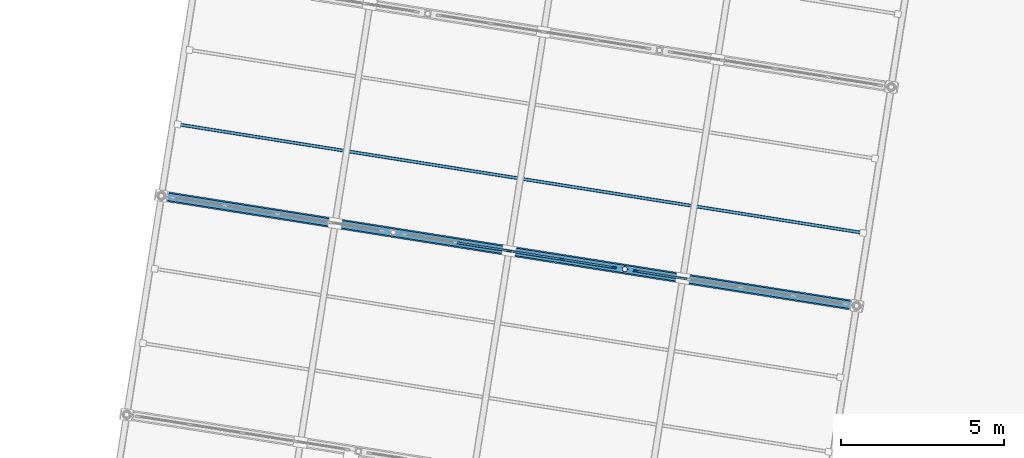
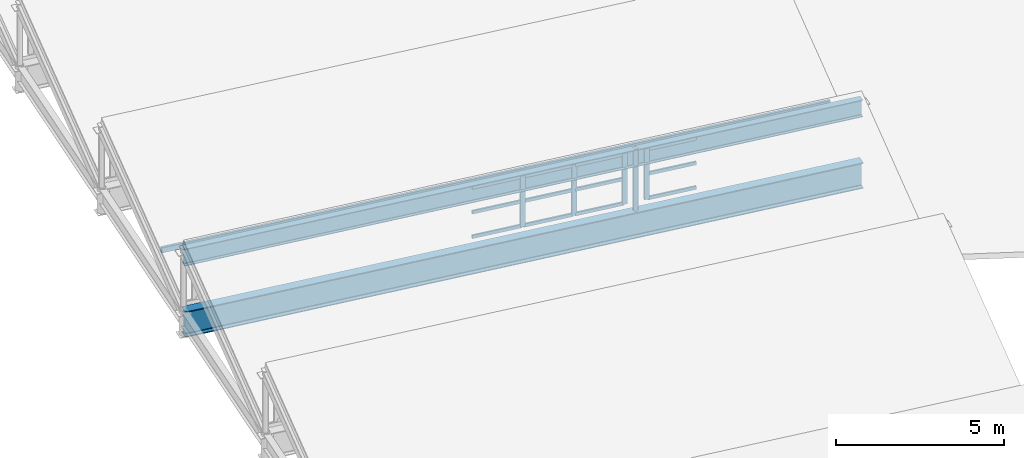
# One storey, part 38 of 65: 18 members, 2 beams, 2 elements without a shape of their own.
"""IFC4 building model written with IfcOpenShell, lengths in metres."""

from ifc_helpers import new_model, si_unit, direction, frame, origin, origin_2d, place, context, subcontext, project, spatial, rectangle, hollow_rectangle, hollow_circle, i_section, extrude, material, material_profile, profile_set, type_object, element, aggregate, save


model = new_model("IFC4")

# Units and contexts
model_context = context("Model", 3, precision=1e-05, world=origin(), true_north=direction((0.0, 1.0)))
body_context = subcontext(model_context, "Body", "Model", "MODEL_VIEW")
ifc_project = project(units=[si_unit("LENGTHUNIT", "METRE"), si_unit("AREAUNIT", "SQUARE_METRE"), si_unit("VOLUMEUNIT", "CUBIC_METRE"), si_unit("PLANEANGLEUNIT", "RADIAN"), si_unit("MASSUNIT", "GRAM", prefix="KILO")], contexts=[model_context])

# Site, building, storey
site_placement = place(None, origin())
site = spatial("IfcSite", under=ifc_project, at=site_placement, CompositionType="ELEMENT")
building_placement = place(site_placement, origin())
building = spatial("IfcBuilding", under=site, at=building_placement, Name="Cinderway Yard Community Centre", CompositionType="ELEMENT")
storey_placement = place(building_placement, frame((0.0, 0.0, 24.300048828125)))
storey = spatial("IfcBuildingStorey", under=building, at=storey_placement, Name="RF", CompositionType="ELEMENT", Elevation=24.300048828125)

# Curtain wall, members
ifc_material_1 = material(Name="Aluminium 6063-T6", Category="aluminium")
curtain_wall_type = type_object("IfcCurtainWallType", Name="ENV-CW-TYPE-23", PredefinedType="USERDEFINED", material=ifc_material_1)
curtain_wall_1_placement = place(storey_placement, origin())
curtain_wall_1 = element("IfcCurtainWall", 1, at=curtain_wall_1_placement, inside=storey, type_object=curtain_wall_type, Name="Sawtooth North-Light Clerestory ENV-CW-RF-ST-0076", ObjectType="GLAZED CURTAIN WALL", PredefinedType="USERDEFINED")
ifc_material_profile_1 = material_profile(ifc_material_1, rectangle(XDim=0.06005859375, YDim=0.159912109375, at=origin_2d()), Name="Aluminium 6063-T6")
ifc_profile_set_1 = profile_set([ifc_material_profile_1], Name="Aluminium 6063-T6")
member_type_1 = type_object("IfcMemberType", Name="ENV-CW-MULL-150", PredefinedType="MULLION", material=ifc_profile_set_1)
member_1_placement = place(storey_placement, frame((130.79443359375, 49.742919921875, -10.199951171875), z_axis=(0.0, 0.0, 1.0), x_axis=(0.15640876877, 0.987692410142, 0.0)))
member_1 = element("IfcMember", 2, at=member_1_placement, type_object=member_type_1, Name="CW-23 mullion 3", PredefinedType="MULLION", context=body_context, shape_type="SweptSolid", body=[
    extrude(rectangle(XDim=0.06005859375, YDim=0.159912109375, at=origin_2d()), origin(), (0.0, 0.0, 1.0), 1.849853515625),
])
member_2_placement = place(storey_placement, frame((132.414306640625, 49.486572265625, -10.199951171875), z_axis=(0.0, 0.0, 1.0), x_axis=(0.15640876877, 0.987692410142, 0.0)))
member_2 = element("IfcMember", 3, at=member_2_placement, type_object=member_type_1, Name="CW-23 mullion 4", PredefinedType="MULLION", context=body_context, shape_type="SweptSolid", body=[
    extrude(rectangle(XDim=0.06005859375, YDim=0.159912109375, at=origin_2d()), origin(), (0.0, 0.0, 1.0), 1.849853515625),
])
member_3_placement = place(storey_placement, frame((134.00439453125, 49.234619140625, -10.199951171875), z_axis=(0.0, 0.0, 1.0), x_axis=(0.15640876877, 0.987692410142, 0.0)))
member_3 = element("IfcMember", 4, at=member_3_placement, type_object=member_type_1, Name="CW-23 mullion 5", PredefinedType="MULLION", context=body_context, shape_type="SweptSolid", body=[
    extrude(rectangle(XDim=0.06005859375, YDim=0.159912109375, at=origin_2d()), origin(), (0.0, 0.0, 1.0), 1.849853515625),
])

# Curtain wall, member
curtain_wall_2_placement = place(storey_placement, origin())
curtain_wall_2 = element("IfcCurtainWall", 5, at=curtain_wall_2_placement, inside=storey, type_object=curtain_wall_type, Name="Sawtooth North-Light Clerestory ENV-CW-RF-ST-0077", ObjectType="GLAZED CURTAIN WALL", PredefinedType="USERDEFINED")
member_4_placement = place(storey_placement, frame((134.695556640625, 49.125244140625, -10.199951171875), z_axis=(0.0, 0.0, 1.0), x_axis=(0.156385221956, 0.987696138675, 0.0)))
member_4 = element("IfcMember", 6, at=member_4_placement, type_object=member_type_1, Name="CW-23 mullion 1", PredefinedType="MULLION", context=body_context, shape_type="SweptSolid", body=[
    extrude(rectangle(XDim=0.06005859375, YDim=0.159912109375, at=origin_2d()), origin(), (0.0, 0.0, 1.0), 1.849853515625),
])

# Member
ifc_material_profile_2 = material_profile(ifc_material_1, rectangle(XDim=0.06005859375, YDim=0.1201171875, at=origin_2d()), Name="Aluminium 6063-T6")
ifc_profile_set_2 = profile_set([ifc_material_profile_2], Name="Aluminium 6063-T6")
member_type_2 = type_object("IfcMemberType", Name="ENV-CW-TRAN-110", PredefinedType="USERDEFINED", material=ifc_profile_set_2)
member_5_placement = place(storey_placement, frame((129.204345703125, 49.994873046875, -10.170166015625), z_axis=(0.987697729788, -0.156375172488, 0.0), x_axis=(0.156375172488, 0.987697729788, 0.0)))
member_5 = element("IfcMember", 7, at=member_5_placement, type_object=member_type_2, Name="CW-23 transom 2.1", ObjectType="TRANSOM", PredefinedType="USERDEFINED", context=body_context, shape_type="SweptSolid", body=[
    extrude(rectangle(XDim=0.06005859375, YDim=0.1201171875, at=origin_2d()), origin(), (0.0, 0.0, 1.0), 1.580078125),
])

member_6_placement = place(storey_placement, frame((129.204345703125, 49.994873046875, -9.280029296875), z_axis=(0.987697729788, -0.156375172488, 0.0), x_axis=(0.156375172488, 0.987697729788, 0.0)))
member_6 = element("IfcMember", 8, at=member_6_placement, type_object=member_type_2, Name="CW-23 transom 2.2", ObjectType="TRANSOM", PredefinedType="USERDEFINED", context=body_context, shape_type="SweptSolid", body=[
    extrude(rectangle(XDim=0.06005859375, YDim=0.1201171875, at=origin_2d()), origin(), (0.0, 0.0, 1.0), 1.580078125),
])

member_7_placement = place(storey_placement, frame((129.204345703125, 49.994873046875, -8.380126953125), z_axis=(0.987697729788, -0.156375172488, 0.0), x_axis=(0.156375172488, 0.987697729788, 0.0)))
member_7 = element("IfcMember", 9, at=member_7_placement, type_object=member_type_2, Name="CW-23 transom 2.3", ObjectType="TRANSOM", PredefinedType="USERDEFINED", context=body_context, shape_type="SweptSolid", body=[
    extrude(rectangle(XDim=0.06005859375, YDim=0.1201171875, at=origin_2d()), origin(), (0.0, 0.0, 1.0), 1.580078125),
])

member_8_placement = place(storey_placement, frame((130.82421875, 49.73828125, -10.170166015625), z_axis=(0.987693950393, -0.156399042059, 0.0), x_axis=(0.156399042059, 0.987693950393, 0.0)))
member_8 = element("IfcMember", 10, at=member_8_placement, type_object=member_type_2, Name="CW-23 transom 3.1", ObjectType="TRANSOM", PredefinedType="USERDEFINED", context=body_context, shape_type="SweptSolid", body=[
    extrude(rectangle(XDim=0.06005859375, YDim=0.1201171875, at=origin_2d()), origin(), (0.0, 0.0, 1.0), 1.579833984375),
])

member_9_placement = place(storey_placement, frame((130.82421875, 49.73828125, -9.280029296875), z_axis=(0.987693950393, -0.156399042059, 0.0), x_axis=(0.156399042059, 0.987693950393, 0.0)))
member_9 = element("IfcMember", 11, at=member_9_placement, type_object=member_type_2, Name="CW-23 transom 3.2", ObjectType="TRANSOM", PredefinedType="USERDEFINED", context=body_context, shape_type="SweptSolid", body=[
    extrude(rectangle(XDim=0.06005859375, YDim=0.1201171875, at=origin_2d()), origin(), (0.0, 0.0, 1.0), 1.579833984375),
])

member_10_placement = place(storey_placement, frame((130.82421875, 49.73828125, -8.380126953125), z_axis=(0.987693950393, -0.156399042059, 0.0), x_axis=(0.156399042059, 0.987693950393, 0.0)))
member_10 = element("IfcMember", 12, at=member_10_placement, type_object=member_type_2, Name="CW-23 transom 3.3", ObjectType="TRANSOM", PredefinedType="USERDEFINED", context=body_context, shape_type="SweptSolid", body=[
    extrude(rectangle(XDim=0.06005859375, YDim=0.1201171875, at=origin_2d()), origin(), (0.0, 0.0, 1.0), 1.579833984375),
])

member_11_placement = place(storey_placement, frame((132.44384765625, 49.481689453125, -10.170166015625), z_axis=(0.987718227202, -0.156245651632, 0.0), x_axis=(0.156245651632, 0.987718227202, 0.0)))
member_11 = element("IfcMember", 13, at=member_11_placement, type_object=member_type_2, Name="CW-23 transom 4.1", ObjectType="TRANSOM", PredefinedType="USERDEFINED", context=body_context, shape_type="SweptSolid", body=[
    extrude(rectangle(XDim=0.06005859375, YDim=0.1201171875, at=origin_2d()), origin(), (0.0, 0.0, 1.0), 1.550048828125),
])

member_12_placement = place(storey_placement, frame((132.44384765625, 49.481689453125, -9.280029296875), z_axis=(0.987718227202, -0.156245651632, 0.0), x_axis=(0.156245651632, 0.987718227202, 0.0)))
member_12 = element("IfcMember", 14, at=member_12_placement, type_object=member_type_2, Name="CW-23 transom 4.2", ObjectType="TRANSOM", PredefinedType="USERDEFINED", context=body_context, shape_type="SweptSolid", body=[
    extrude(rectangle(XDim=0.06005859375, YDim=0.1201171875, at=origin_2d()), origin(), (0.0, 0.0, 1.0), 1.550048828125),
])

member_13_placement = place(storey_placement, frame((132.44384765625, 49.481689453125, -8.380126953125), z_axis=(0.987718227202, -0.156245651632, 0.0), x_axis=(0.156245651632, 0.987718227202, 0.0)))
member_13 = element("IfcMember", 15, at=member_13_placement, type_object=member_type_2, Name="CW-23 transom 4.3", ObjectType="TRANSOM", PredefinedType="USERDEFINED", context=body_context, shape_type="SweptSolid", body=[
    extrude(rectangle(XDim=0.06005859375, YDim=0.1201171875, at=origin_2d()), origin(), (0.0, 0.0, 1.0), 1.550048828125),
])

aggregate(curtain_wall_1, [member_1, member_2, member_3, member_5, member_6, member_7, member_8, member_9, member_10, member_11, member_12, member_13])

member_14_placement = place(storey_placement, frame((134.725341796875, 49.12060546875, -10.170166015625), z_axis=(0.987693908517, -0.156399306515, 0.0), x_axis=(0.156399306515, 0.987693908517, 0.0)))
member_14 = element("IfcMember", 16, at=member_14_placement, type_object=member_type_2, Name="CW-23 transom 1.1", ObjectType="TRANSOM", PredefinedType="USERDEFINED", context=body_context, shape_type="SweptSolid", body=[
    extrude(rectangle(XDim=0.06005859375, YDim=0.1201171875, at=origin_2d()), origin(), (0.0, 0.0, 1.0), 1.550048828125),
])

member_15_placement = place(storey_placement, frame((134.725341796875, 49.12060546875, -9.280029296875), z_axis=(0.987693908517, -0.156399306515, 0.0), x_axis=(0.156399306515, 0.987693908517, 0.0)))
member_15 = element("IfcMember", 17, at=member_15_placement, type_object=member_type_2, Name="CW-23 transom 1.2", ObjectType="TRANSOM", PredefinedType="USERDEFINED", context=body_context, shape_type="SweptSolid", body=[
    extrude(rectangle(XDim=0.06005859375, YDim=0.1201171875, at=origin_2d()), origin(), (0.0, 0.0, 1.0), 1.550048828125),
])

member_16_placement = place(storey_placement, frame((134.725341796875, 49.12060546875, -8.380126953125), z_axis=(0.987693908517, -0.156399306515, 0.0), x_axis=(0.156399306515, 0.987693908517, 0.0)))
member_16 = element("IfcMember", 18, at=member_16_placement, type_object=member_type_2, Name="CW-23 transom 1.3", ObjectType="TRANSOM", PredefinedType="USERDEFINED", context=body_context, shape_type="SweptSolid", body=[
    extrude(rectangle(XDim=0.06005859375, YDim=0.1201171875, at=origin_2d()), origin(), (0.0, 0.0, 1.0), 1.550048828125),
])

aggregate(curtain_wall_2, [member_4, member_14, member_15, member_16])

# Beams
ifc_material_2 = material(Name="Steel S355", Category="steel")
ifc_material_profile_3 = material_profile(ifc_material_2, i_section(OverallWidth=0.22998046875, OverallDepth=0.616943359375, WebThickness=0.011962890625, FlangeThickness=0.01953125, FilletRadius=0.01611328125, at=origin_2d()), Name="Steel S355")
ifc_profile_set_3 = profile_set([ifc_material_profile_3], Name="Steel S355")
beam_type_1 = type_object("IfcBeamType", Name="STR-BM-W610X140", PredefinedType="BEAM", material=ifc_profile_set_3)
beam_1_placement = place(storey_placement, frame((120.1279296875, 51.43310546875, -8.55810546875), z_axis=(0.987687058599, -0.156442559028, 0.0), x_axis=(0.156442559028, 0.987687058599, 0.0)))
element("IfcBeam", 19, at=beam_1_placement, inside=storey, type_object=beam_type_1, Name="Sawtooth apex girder STR-BM-RF-SB05-1015", PredefinedType="BEAM", context=body_context, shape_type="SweptSolid", body=[
    extrude(i_section(OverallWidth=0.22998046875, OverallDepth=0.616943359375, WebThickness=0.011962890625, FlangeThickness=0.01953125, FilletRadius=0.01611328125, at=origin_2d()), origin(), (0.0, 0.0, 1.0), 21.599853515625),
])
ifc_material_profile_4 = material_profile(ifc_material_2, i_section(OverallWidth=0.30908203125, OverallDepth=0.931884765625, WebThickness=0.017333984375, FlangeThickness=0.030029296875, FilletRadius=0.02392578125, at=origin_2d()), Name="Steel S355")
ifc_profile_set_4 = profile_set([ifc_material_profile_4], Name="Steel S355")
beam_type_2 = type_object("IfcBeamType", Name="STR-BM-W920X313", PredefinedType="BEAM", material=ifc_profile_set_4)
beam_2_placement = place(storey_placement, frame((120.1279296875, 51.43310546875, -10.966064453125), z_axis=(0.987687058599, -0.156442559028, 0.0), x_axis=(0.156442559028, 0.987687058599, 0.0)))
element("IfcBeam", 20, at=beam_2_placement, inside=storey, type_object=beam_type_2, Name="Sports Hall clear-span girder 03", PredefinedType="BEAM", context=body_context, shape_type="SweptSolid", body=[
    extrude(i_section(OverallWidth=0.30908203125, OverallDepth=0.931884765625, WebThickness=0.017333984375, FlangeThickness=0.030029296875, FilletRadius=0.02392578125, at=origin_2d()), origin(), (0.0, 0.0, 1.0), 21.599853515625),
])

# Members
ifc_material_profile_5 = material_profile(ifc_material_2, hollow_rectangle(XDim=0.10009765625, YDim=0.199951171875, WallThickness=0.008056640625, InnerFilletRadius=0.008056640625, OuterFilletRadius=0.01611328125, at=origin_2d()), Name="Steel S355")
ifc_profile_set_5 = profile_set([ifc_material_profile_5], Name="Steel S355")
member_type_3 = type_object("IfcMemberType", Name="STR-MEM-PURLIN-200", PredefinedType="PURLIN", material=ifc_profile_set_5)
member_17_placement = place(storey_placement, frame((120.626953125, 53.625, -9.843994140625), z_axis=(0.987687756952, -0.156438149973, 0.0), x_axis=(0.156438149973, 0.987687756952, 0.0)))
element("IfcMember", 21, at=member_17_placement, inside=storey, type_object=member_type_3, Name="Sawtooth roof purlin B3-33", PredefinedType="PURLIN", context=body_context, shape_type="SweptSolid", body=[
    extrude(hollow_rectangle(XDim=0.10009765625, YDim=0.199951171875, WallThickness=0.008056640625, InnerFilletRadius=0.008056640625, OuterFilletRadius=0.01611328125, at=origin_2d()), origin(), (0.0, 0.0, 1.0), 21.29931640625),
])
ifc_material_profile_6 = material_profile(ifc_material_2, hollow_circle(Radius=0.084228515625, WallThickness=0.008056640625, at=origin_2d()), Name="Steel S355")
ifc_profile_set_6 = profile_set([ifc_material_profile_6], Name="Steel S355")
member_type_4 = type_object("IfcMemberType", Name="STR-MEM-STRUT-CHS168", PredefinedType="STRUT", material=ifc_profile_set_6)
member_18_placement = place(storey_placement, frame((134.35009765625, 49.179931640625, -10.5), z_axis=(0.0, 0.0, 1.0), x_axis=(1.0, 0.0, 0.0)))
element("IfcMember", 22, at=member_18_placement, inside=storey, type_object=member_type_4, Name="Sawtooth kingpost B2-144", PredefinedType="STRUT", context=body_context, shape_type="SweptSolid", body=[
    extrude(hollow_circle(Radius=0.084228515625, WallThickness=0.008056640625, at=origin_2d()), origin(), (0.0, 0.0, 1.0), 2.25),
])

save(model, "model.ifc")
